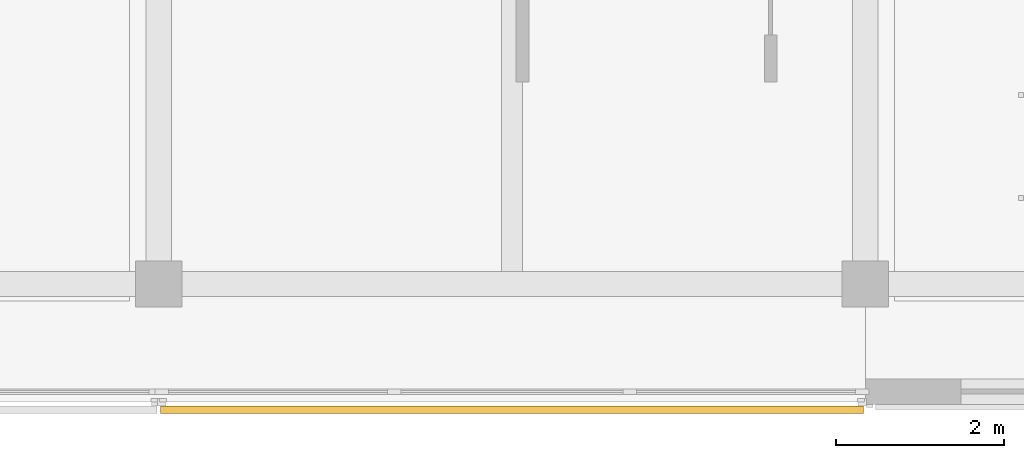
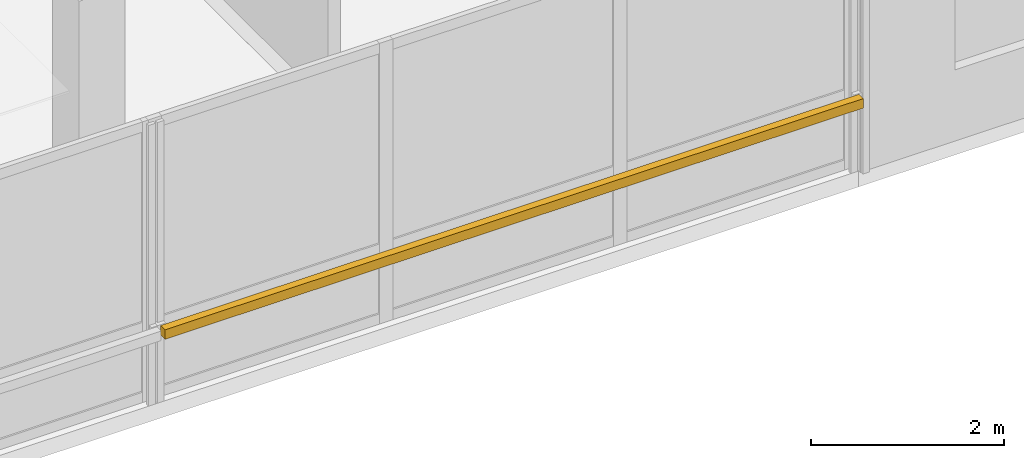
# One storey, part 18 of 25: 1 shading device.
"""IFC4 building model written with IfcOpenShell, lengths in metres."""

from ifc_helpers import new_model, si_unit, direction, frame, origin, origin_2d, place, context, subcontext, project, spatial, rectangle, extrude, material, layer, layer_set, type_object, element, save


model = new_model("IFC4")

# Units and contexts
model_context = context("Model", 3, precision=1e-05, world=origin(), true_north=direction((0.0, 1.0)))
body_context = subcontext(model_context, "Body", "Model", "MODEL_VIEW")
ifc_project = project(units=[si_unit("LENGTHUNIT", "METRE"), si_unit("AREAUNIT", "SQUARE_METRE"), si_unit("VOLUMEUNIT", "CUBIC_METRE"), si_unit("PLANEANGLEUNIT", "RADIAN"), si_unit("MASSUNIT", "GRAM", prefix="KILO")], contexts=[model_context])

# Site, building, storey
site_placement = place(None, origin())
site = spatial("IfcSite", under=ifc_project, at=site_placement, CompositionType="ELEMENT")
building_placement = place(site_placement, origin())
building = spatial("IfcBuilding", under=site, at=building_placement, Name="Telukmera Botanical Conservatory", CompositionType="ELEMENT")
storey_placement = place(building_placement, frame((0.0, 0.0, 64.5)))
storey = spatial("IfcBuildingStorey", under=building, at=storey_placement, Name="L14", CompositionType="ELEMENT", Elevation=64.5)

# Shading device
ifc_material = material(Name="Perforated terracotta-anodised aluminium 6063-T6", Category="masonry")
ifc_layer = layer(ifc_material, 0.044921875)
ifc_layer_set = layer_set([ifc_layer], Name="Perforated terracotta-anodised aluminium 6063-T6")
shading_device_type = type_object("IfcShadingDeviceType", Name="Perforated Terracotta Aluminium Monsoon Brise Soleil", PredefinedType="JALOUSIE", material=ifc_layer_set)
shading_device_placement = place(storey_placement, frame((88.199951171875, 9.10498046875, 0.889892578125), z_axis=(0.0, 0.0, 1.0), x_axis=(1.0, 0.0, 0.0)))
element("IfcShadingDevice", 1, at=shading_device_placement, inside=storey, type_object=shading_device_type, Name="Monsoon Shading BS01 V4:L14:S4", PredefinedType="JALOUSIE", context=body_context, shape_type="SweptSolid", body=[
    extrude(rectangle(XDim=8.35595703125, YDim=0.090087890625, at=origin_2d()), origin(), (0.0, 0.0, 1.0), 0.1201171875),
])

save(model, "model.ifc")
